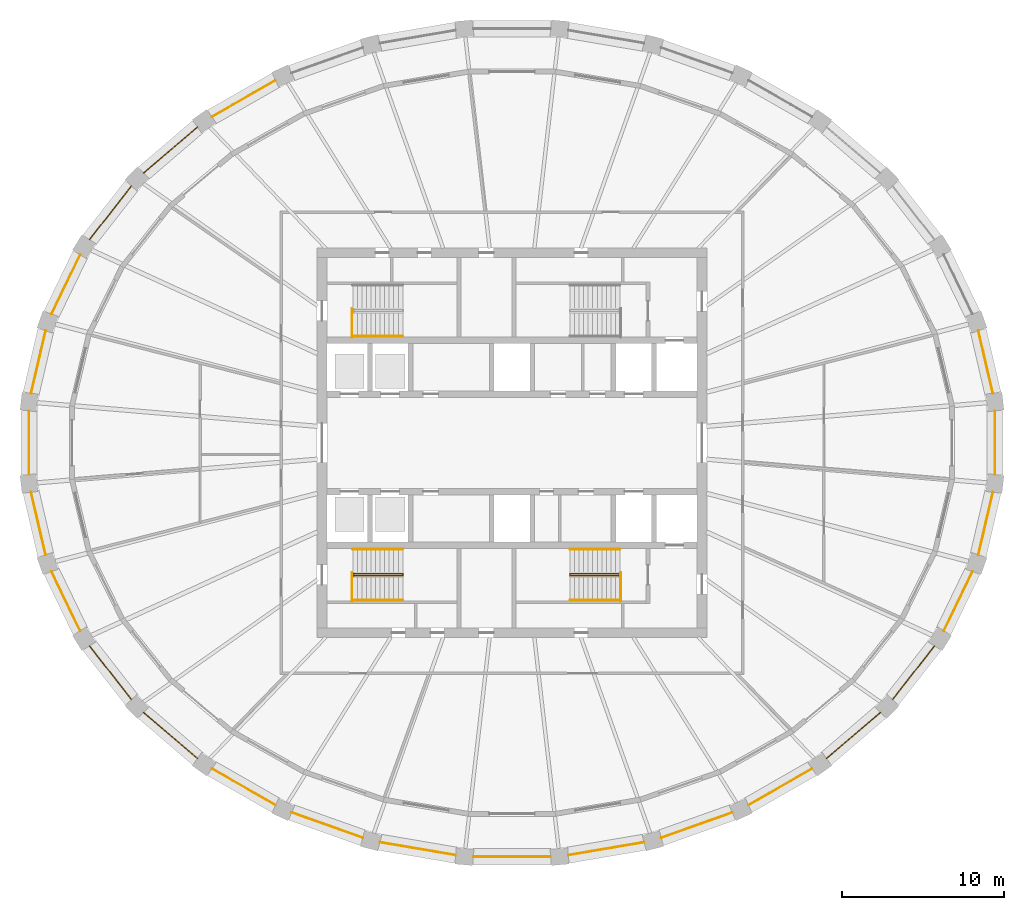
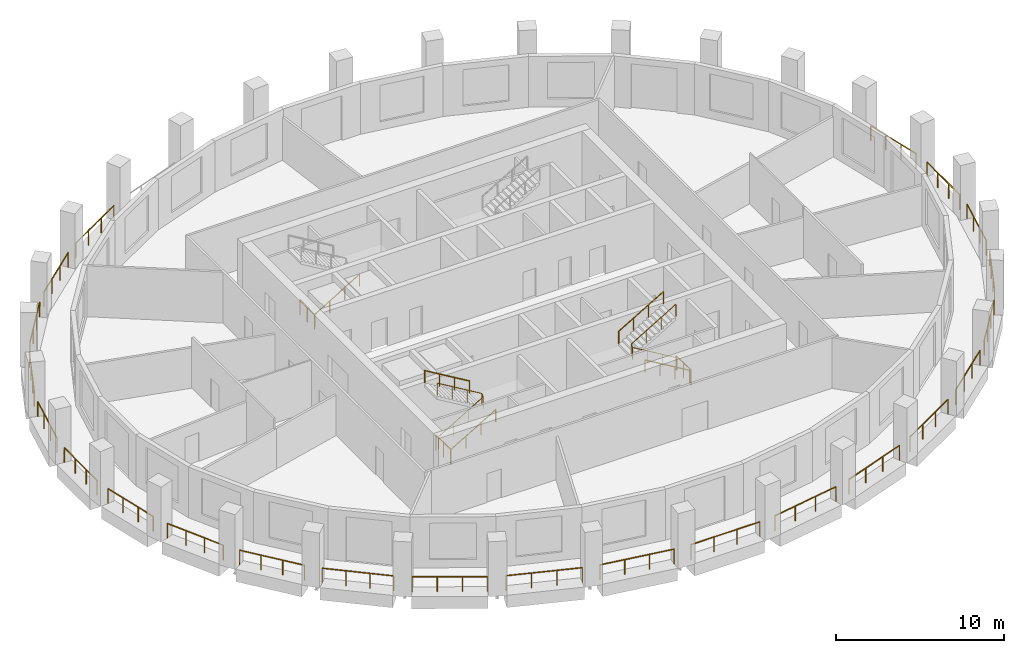
# One storey, part 8 of 10: 33 railings.
"""IFC4 building model written with IfcOpenShell, lengths in metres."""

import ifcopenshell
import ifcopenshell.guid

model = None  # the IFC model being written
_history = None  # IfcOwnerHistory: only IFC2X3 demands one
_inside = {}  # id of a spatial element -> (the spatial element, [elements in it])
_under = {}  # id of a project, library or spatial element -> (it, [spatial elements below it])
_declared = {}  # id of a project -> (the project, [libraries it declares])
_typed = {}  # id of a type object -> (the type object, [elements of that type])
_made_of = {}  # id of a material, layer set ... -> (it, [elements and type objects made of it])


def new_model(schema):
    """Start an empty IFC model of exactly this schema.

    Asked for "IFC4X3", IfcOpenShell would pick the latest addendum, in which some entities
    have other attributes; the version numbers below select the first issue.
    IFC2X3 requires an IfcOwnerHistory on every rooted entity: one is made here for all.
    """
    global model, _history
    if schema == "IFC4X3":
        model = ifcopenshell.file(schema_version=(4, 3, 0, 0))
    else:
        model = ifcopenshell.file(schema=schema)
    _inside.clear()
    _under.clear()
    _declared.clear()
    _typed.clear()
    _made_of.clear()
    _history = None
    if model.schema == "IFC2X3":
        org = make("IfcOrganization", Name="unknown")
        user = make(
            "IfcPersonAndOrganization",
            ThePerson=make("IfcPerson", FamilyName="unknown"),
            TheOrganization=org,
        )
        app = make(
            "IfcApplication",
            ApplicationDeveloper=org,
            Version="unknown",
            ApplicationFullName="unknown",
            ApplicationIdentifier="unknown",
        )
        _history = make(
            "IfcOwnerHistory",
            OwningUser=user,
            OwningApplication=app,
            ChangeAction="ADDED",
            CreationDate=0,
        )
    return model


def make(cls, **values):
    """One entity of the class cls with the attributes given. An attribute that is None is left unset."""
    return model.create_entity(
        cls, **{name: value for name, value in values.items() if value is not None}
    )


def rooted(cls, **values):
    """An entity with a GlobalId (a new one), such as an element, a storey or a relation."""
    return make(cls, GlobalId=ifcopenshell.guid.new(), OwnerHistory=_history, **values)


def si_unit(unit_type, name, prefix=None):
    """IfcSIUnit, for example si_unit("LENGTHUNIT", "METRE", prefix="MILLI")."""
    return make("IfcSIUnit", UnitType=unit_type, Prefix=prefix, Name=name)


def assignment(units):
    """IfcUnitAssignment: the units of a project."""
    return None if units is None else make("IfcUnitAssignment", Units=units)


def point(xyz):
    """IfcCartesianPoint."""
    return None if xyz is None else make("IfcCartesianPoint", Coordinates=xyz)


def direction(xyz):
    """IfcDirection."""
    return None if xyz is None else make("IfcDirection", DirectionRatios=xyz)


def frame(location, z_axis=None, x_axis=None):
    """IfcAxis2Placement3D, a coordinate frame: its origin and axes. An axis left out is left unset."""
    return make(
        "IfcAxis2Placement3D",
        Location=point(location),
        Axis=direction(z_axis),
        RefDirection=direction(x_axis),
    )


def frame_2d(location, x_axis=None):
    """IfcAxis2Placement2D, a coordinate frame in the plane: its origin and x axis."""
    return make(
        "IfcAxis2Placement2D", Location=point(location), RefDirection=direction(x_axis)
    )


def origin():
    """The frame at (0, 0, 0) with its axes left unset."""
    return frame((0.0, 0.0, 0.0))


def origin_2d():
    """The frame at (0, 0) in the plane with its x axis left unset."""
    return frame_2d((0.0, 0.0))


def place(relative_to, where):
    """IfcLocalPlacement: puts the frame where relative to a parent placement (None: the world)."""
    return make(
        "IfcLocalPlacement", PlacementRelTo=relative_to, RelativePlacement=where
    )


def context(
    kind, dimensions, precision=None, world=None, true_north=None, identifier=None
):
    """IfcGeometricRepresentationContext, for example the 3D "Model" context."""
    return make(
        "IfcGeometricRepresentationContext",
        ContextIdentifier=identifier,
        ContextType=kind,
        CoordinateSpaceDimension=dimensions,
        Precision=precision,
        WorldCoordinateSystem=world,
        TrueNorth=true_north,
    )


def subcontext(parent, identifier, kind, view, scale=None):
    """IfcGeometricRepresentationSubContext, for example "Body" below "Model"."""
    return make(
        "IfcGeometricRepresentationSubContext",
        ContextIdentifier=identifier,
        ContextType=kind,
        ParentContext=parent,
        TargetScale=scale,
        TargetView=view,
    )


def project(units=None, contexts=None):
    """IfcProject with its units and contexts."""
    return rooted(
        "IfcProject",
        Name="project",
        RepresentationContexts=contexts,
        UnitsInContext=assignment(units),
    )


def spatial(cls, under=None, at=None, **own):
    """A site, building, storey or space (cls), placed at a placement, below another one or the project."""
    s = rooted(cls, ObjectPlacement=at, **own)
    if under is not None:
        _under.setdefault(under.id(), (under, []))[1].append(s)
    return s


def profile(cls, at=None, kind="AREA", **sizes):
    """A parametric profile (cls). Its sizes go by their IFC names, for example OverallWidth=200.0."""
    return make(cls, ProfileType=kind, Position=at, **sizes)


def circle(**sizes):
    """IfcCircleProfileDef."""
    return profile("IfcCircleProfileDef", **sizes)


def extrude(swept, where, along, depth):
    """IfcExtrudedAreaSolid: the profile swept, set in the frame where, extruded along a direction by depth."""
    return make(
        "IfcExtrudedAreaSolid",
        SweptArea=swept,
        Position=where,
        ExtrudedDirection=direction(along),
        Depth=depth,
    )


def shape(context_of_items, identifier, shape_type, items):
    """IfcShapeRepresentation: the items that make up one representation, for example the "Body"."""
    return make(
        "IfcShapeRepresentation",
        ContextOfItems=context_of_items,
        RepresentationIdentifier=identifier,
        RepresentationType=shape_type,
        Items=items,
    )


def material(Name=None, Category=None):
    """IfcMaterial."""
    return make("IfcMaterial", Name=Name, Category=Category)


def made_of(thing, what):
    """Note that an element or type object is made of a material, layer set ...; save() writes the relation."""
    if what is not None:
        _made_of.setdefault(what.id(), (what, []))[1].append(thing)
    return thing


def type_object(cls, material=None, **own):
    """A type object (cls), such as IfcWallType, which elements share."""
    return made_of(rooted(cls, **own), material)


def element(
    cls,
    number,
    at=None,
    inside=None,
    cuts=None,
    type_object=None,
    material=None,
    context=None,
    identifier="Body",
    shape_type=None,
    held_by="IfcProductDefinitionShape",
    body=None,
    shapes=None,
    **own,
):
    """One element of the class cls, such as IfcWall. Its Tag is "e" and its number.

    at: its placement. inside: the storey or other place that contains it. cuts: it is an
    opening in that element (IfcRelVoidsElement). A single representation is given by context,
    identifier, shape_type and body (its items); several are given by shapes. held_by: the class
    of the entity that holds the representations. save() writes the other relations.
    """
    e = rooted(cls, Tag="e%d" % number, ObjectPlacement=at, **own)
    if body is not None:
        shapes = [shape(context, identifier, shape_type, body)]
    if shapes is not None:
        e.Representation = make(held_by, Representations=shapes)
    if inside is not None:
        _inside.setdefault(inside.id(), (inside, []))[1].append(e)
    if cuts is not None:
        rooted(
            "IfcRelVoidsElement", RelatingBuildingElement=cuts, RelatedOpeningElement=e
        )
    if type_object is not None:
        _typed.setdefault(type_object.id(), (type_object, []))[1].append(e)
    return made_of(e, material)


def aggregate(whole, parts):
    """IfcRelAggregates: a whole, such as a stair, and the parts it consists of."""
    return rooted("IfcRelAggregates", RelatingObject=whole, RelatedObjects=parts)


def save(model, path):
    """Write the relations noted so far, then the file.

    IfcRelAggregates (storeys below a building ...), IfcRelContainedInSpatialStructure (elements
    in a storey), IfcRelDefinesByType, IfcRelAssociatesMaterial and IfcRelDeclares: one each for
    every whole, place, type object, material and project.
    """
    for whole, parts in _under.values():
        aggregate(whole, parts)
    for where, things in _inside.values():
        rooted(
            "IfcRelContainedInSpatialStructure",
            RelatedElements=things,
            RelatingStructure=where,
        )
    for kind, things in _typed.values():
        rooted("IfcRelDefinesByType", RelatedObjects=things, RelatingType=kind)
    for what, things in _made_of.values():
        rooted("IfcRelAssociatesMaterial", RelatedObjects=things, RelatingMaterial=what)
    for by, libraries in _declared.values():
        rooted("IfcRelDeclares", RelatingContext=by, RelatedDefinitions=libraries)
    model.write(path)


model = new_model("IFC4")

# Units and contexts
model_context = context("Model", 3, precision=1e-05, world=origin(), true_north=direction((0.0, 1.0)))
body_context = subcontext(model_context, "Body", "Model", "MODEL_VIEW")
ifc_project = project(units=[si_unit("LENGTHUNIT", "METRE"), si_unit("AREAUNIT", "SQUARE_METRE"), si_unit("VOLUMEUNIT", "CUBIC_METRE"), si_unit("PLANEANGLEUNIT", "RADIAN"), si_unit("MASSUNIT", "GRAM", prefix="KILO")], contexts=[model_context])

# Site, building, storey
site_placement = place(None, origin())
site = spatial("IfcSite", under=ifc_project, at=site_placement, CompositionType="ELEMENT")
building_placement = place(site_placement, origin())
building = spatial("IfcBuilding", under=site, at=building_placement, Name="Halqa Exchange Tower", CompositionType="ELEMENT")
storey_placement = place(building_placement, frame((0.0, 0.0, 272.300048828125)))
storey = spatial("IfcBuildingStorey", under=building, at=storey_placement, Name="L63", CompositionType="ELEMENT", Elevation=272.300048828125)

# Railings
ifc_material = material(Name="Stainless steel", Category="steel")
railing_type_1 = type_object("IfcRailingType", Name="Guard 1100 stainless steel", PredefinedType="GUARDRAIL", material=ifc_material)
railing_1_placement = place(storey_placement, frame((29.600341796875, 3.045166015625, 0.0)))
element("IfcRailing", 1, at=railing_1_placement, inside=storey, type_object=railing_type_1, Name="Loggia guard 1", PredefinedType="GUARDRAIL", context=body_context, shape_type="SweptSolid", body=[
    extrude(circle(Radius=0.02392578125, at=origin_2d()), frame((0.0, 0.0, 1.076171875), z_axis=(-0.226095175031, 0.974105215995, 0.0), x_axis=(-0.974105215995, -0.226095175031, 0.0)), (0.0, 0.0, 1.0), 3.953125),
    extrude(circle(Radius=0.02099609375, at=origin_2d()), origin(), (0.0, 0.0, 1.0), 1.052001953125),
    extrude(circle(Radius=0.02099609375, at=origin_2d()), frame((-0.2978515625, 1.28369140625, 0.0)), (0.0, 0.0, 1.0), 1.052001953125),
    extrude(circle(Radius=0.02099609375, at=origin_2d()), frame((-0.595947265625, 2.567138671875, 0.0)), (0.0, 0.0, 1.0), 1.052001953125),
    extrude(circle(Radius=0.02099609375, at=origin_2d()), frame((-0.893798828125, 3.850830078125, 0.0)), (0.0, 0.0, 1.0), 1.052001953125),
])
railing_2_placement = place(storey_placement, frame((-14.55712890625, 22.30517578125, 0.0)))
element("IfcRailing", 2, at=railing_2_placement, inside=storey, type_object=railing_type_1, Name="Loggia guard 11", PredefinedType="GUARDRAIL", context=body_context, shape_type="SweptSolid", body=[
    extrude(circle(Radius=0.02392578125, at=origin_2d()), frame((0.0, 0.0, 1.076171875), z_axis=(-0.867743048919, -0.497013079357, 0.0), x_axis=(0.497013079357, -0.867743048919, 0.0)), (0.0, 0.0, 1.0), 4.51025390625),
    extrude(circle(Radius=0.02099609375, at=origin_2d()), origin(), (0.0, 0.0, 1.0), 1.052001953125),
    extrude(circle(Radius=0.02099609375, at=origin_2d()), frame((-1.3046875, -0.747314453125, 0.0)), (0.0, 0.0, 1.0), 1.052001953125),
    extrude(circle(Radius=0.02099609375, at=origin_2d()), frame((-2.609130859375, -1.494384765625, 0.0)), (0.0, 0.0, 1.0), 1.052001953125),
    extrude(circle(Radius=0.02099609375, at=origin_2d()), frame((-3.913818359375, -2.24169921875, 0.0)), (0.0, 0.0, 1.0), 1.052001953125),
])
railing_3_placement = place(storey_placement, frame((-19.365966796875, 19.432373046875, 0.0)))
element("IfcRailing", 3, at=railing_3_placement, inside=storey, type_object=railing_type_1, Name="Loggia guard 12", PredefinedType="GUARDRAIL", context=body_context, shape_type="SweptSolid", body=[
    extrude(circle(Radius=0.02392578125, at=origin_2d()), frame((0.0, 0.0, 1.076171875), z_axis=(-0.759232847893, -0.650819085983, 0.0), x_axis=(0.650819085983, -0.759232847893, 0.0)), (0.0, 0.0, 1.0), 4.35302734375),
    extrude(circle(Radius=0.02099609375, at=origin_2d()), origin(), (0.0, 0.0, 1.0), 1.052001953125),
    extrude(circle(Radius=0.02099609375, at=origin_2d()), frame((-1.1015625, -0.9443359375, 0.0)), (0.0, 0.0, 1.0), 1.052001953125),
    extrude(circle(Radius=0.02099609375, at=origin_2d()), frame((-2.203369140625, -1.888671875, 0.0)), (0.0, 0.0, 1.0), 1.052001953125),
    extrude(circle(Radius=0.02099609375, at=origin_2d()), frame((-3.304931640625, -2.8330078125, 0.0)), (0.0, 0.0, 1.0), 1.052001953125),
])
railing_4_placement = place(storey_placement, frame((-23.4267578125, 15.8076171875, 0.0)))
element("IfcRailing", 4, at=railing_4_placement, inside=storey, type_object=railing_type_1, Name="Loggia guard 13", PredefinedType="GUARDRAIL", context=body_context, shape_type="SweptSolid", body=[
    extrude(circle(Radius=0.02392578125, at=origin_2d()), frame((0.0, 0.0, 1.076171875), z_axis=(-0.614799253617, -0.788683636036, 0.0), x_axis=(0.788683636036, -0.614799253617, 0.0)), (0.0, 0.0, 1.0), 4.191162109375),
    extrude(circle(Radius=0.02099609375, at=origin_2d()), origin(), (0.0, 0.0, 1.0), 1.052001953125),
    extrude(circle(Radius=0.02099609375, at=origin_2d()), frame((-0.85888671875, -1.101806640625, 0.0)), (0.0, 0.0, 1.0), 1.052001953125),
    extrude(circle(Radius=0.02099609375, at=origin_2d()), frame((-1.7177734375, -2.20361328125, 0.0)), (0.0, 0.0, 1.0), 1.052001953125),
    extrude(circle(Radius=0.02099609375, at=origin_2d()), frame((-2.57666015625, -3.305419921875, 0.0)), (0.0, 0.0, 1.0), 1.052001953125),
])
railing_5_placement = place(storey_placement, frame((-26.580810546875, 11.5732421875, 0.0)))
element("IfcRailing", 5, at=railing_5_placement, inside=storey, type_object=railing_type_1, Name="Loggia guard 14", PredefinedType="GUARDRAIL", context=body_context, shape_type="SweptSolid", body=[
    extrude(circle(Radius=0.02392578125, at=origin_2d()), frame((0.0, 0.0, 1.076171875), z_axis=(-0.435140153369, -0.900362730751, 0.0), x_axis=(0.900362730751, -0.435140153369, 0.0)), (0.0, 0.0, 1.0), 4.0498046875),
    extrude(circle(Radius=0.02099609375, at=origin_2d()), origin(), (0.0, 0.0, 1.0), 1.052001953125),
    extrude(circle(Radius=0.02099609375, at=origin_2d()), frame((-0.58740234375, -1.21533203125, 0.0)), (0.0, 0.0, 1.0), 1.052001953125),
    extrude(circle(Radius=0.02099609375, at=origin_2d()), frame((-1.1748046875, -2.430908203125, 0.0)), (0.0, 0.0, 1.0), 1.052001953125),
    extrude(circle(Radius=0.02099609375, at=origin_2d()), frame((-1.76220703125, -3.646240234375, 0.0)), (0.0, 0.0, 1.0), 1.052001953125),
])
railing_6_placement = place(storey_placement, frame((-28.70654296875, 6.89599609375, 0.0)))
element("IfcRailing", 6, at=railing_6_placement, inside=storey, type_object=railing_type_1, Name="Loggia guard 15", PredefinedType="GUARDRAIL", context=body_context, shape_type="SweptSolid", body=[
    extrude(circle(Radius=0.02392578125, at=origin_2d()), frame((0.0, 0.0, 1.076171875), z_axis=(-0.226095175031, -0.974105215995, 0.0), x_axis=(0.974105215995, -0.226095175031, 0.0)), (0.0, 0.0, 1.0), 3.953125),
    extrude(circle(Radius=0.02099609375, at=origin_2d()), origin(), (0.0, 0.0, 1.0), 1.052001953125),
    extrude(circle(Radius=0.02099609375, at=origin_2d()), frame((-0.2978515625, -1.28369140625, 0.0)), (0.0, 0.0, 1.0), 1.052001953125),
    extrude(circle(Radius=0.02099609375, at=origin_2d()), frame((-0.595947265625, -2.567138671875, 0.0)), (0.0, 0.0, 1.0), 1.052001953125),
    extrude(circle(Radius=0.02099609375, at=origin_2d()), frame((-0.893798828125, -3.850830078125, 0.0)), (0.0, 0.0, 1.0), 1.052001953125),
])
railing_7_placement = place(storey_placement, frame((-29.724609375, 1.95947265625, 0.0)))
element("IfcRailing", 7, at=railing_7_placement, inside=storey, type_object=railing_type_1, Name="Loggia guard 16", PredefinedType="GUARDRAIL", context=body_context, shape_type="SweptSolid", body=[
    extrude(circle(Radius=0.02392578125, at=origin_2d()), frame((0.0, 0.0, 1.076171875), z_axis=(0.0, -1.0, 0.0), x_axis=(1.0, 0.0, 0.0)), (0.0, 0.0, 1.0), 3.9189453125),
    extrude(circle(Radius=0.02099609375, at=origin_2d()), origin(), (0.0, 0.0, 1.0), 1.052001953125),
    extrude(circle(Radius=0.02099609375, at=origin_2d()), frame((0.0, -1.306396484375, 0.0)), (0.0, 0.0, 1.0), 1.052001953125),
    extrude(circle(Radius=0.02099609375, at=origin_2d()), frame((0.0, -2.612548828125, 0.0)), (0.0, 0.0, 1.0), 1.052001953125),
    extrude(circle(Radius=0.02099609375, at=origin_2d()), frame((0.0, -3.9189453125, 0.0)), (0.0, 0.0, 1.0), 1.052001953125),
])
railing_8_placement = place(storey_placement, frame((-29.600341796875, -3.045166015625, 0.0)))
element("IfcRailing", 8, at=railing_8_placement, inside=storey, type_object=railing_type_1, Name="Loggia guard 17", PredefinedType="GUARDRAIL", context=body_context, shape_type="SweptSolid", body=[
    extrude(circle(Radius=0.02392578125, at=origin_2d()), frame((0.0, 0.0, 1.076171875), z_axis=(0.226095175031, -0.974105215995, 0.0), x_axis=(0.974105215995, 0.226095175031, 0.0)), (0.0, 0.0, 1.0), 3.953125),
    extrude(circle(Radius=0.02099609375, at=origin_2d()), origin(), (0.0, 0.0, 1.0), 1.052001953125),
    extrude(circle(Radius=0.02099609375, at=origin_2d()), frame((0.2978515625, -1.28369140625, 0.0)), (0.0, 0.0, 1.0), 1.052001953125),
    extrude(circle(Radius=0.02099609375, at=origin_2d()), frame((0.595947265625, -2.567138671875, 0.0)), (0.0, 0.0, 1.0), 1.052001953125),
    extrude(circle(Radius=0.02099609375, at=origin_2d()), frame((0.893798828125, -3.850830078125, 0.0)), (0.0, 0.0, 1.0), 1.052001953125),
])
railing_9_placement = place(storey_placement, frame((-28.343017578125, -7.927001953125, 0.0)))
element("IfcRailing", 9, at=railing_9_placement, inside=storey, type_object=railing_type_1, Name="Loggia guard 18", PredefinedType="GUARDRAIL", context=body_context, shape_type="SweptSolid", body=[
    extrude(circle(Radius=0.02392578125, at=origin_2d()), frame((0.0, 0.0, 1.076171875), z_axis=(0.435140153369, -0.900362730751, 0.0), x_axis=(0.900362730751, 0.435140153369, 0.0)), (0.0, 0.0, 1.0), 4.0498046875),
    extrude(circle(Radius=0.02099609375, at=origin_2d()), origin(), (0.0, 0.0, 1.0), 1.052001953125),
    extrude(circle(Radius=0.02099609375, at=origin_2d()), frame((0.58740234375, -1.21533203125, 0.0)), (0.0, 0.0, 1.0), 1.052001953125),
    extrude(circle(Radius=0.02099609375, at=origin_2d()), frame((1.1748046875, -2.430908203125, 0.0)), (0.0, 0.0, 1.0), 1.052001953125),
    extrude(circle(Radius=0.02099609375, at=origin_2d()), frame((1.76220703125, -3.646240234375, 0.0)), (0.0, 0.0, 1.0), 1.052001953125),
])
railing_10_placement = place(storey_placement, frame((-26.00341796875, -12.502197265625, 0.0)))
element("IfcRailing", 10, at=railing_10_placement, inside=storey, type_object=railing_type_1, Name="Loggia guard 19", PredefinedType="GUARDRAIL", context=body_context, shape_type="SweptSolid", body=[
    extrude(circle(Radius=0.02392578125, at=origin_2d()), frame((0.0, 0.0, 1.076171875), z_axis=(0.614799253617, -0.788683636036, 0.0), x_axis=(0.788683636036, 0.614799253617, 0.0)), (0.0, 0.0, 1.0), 4.191162109375),
    extrude(circle(Radius=0.02099609375, at=origin_2d()), origin(), (0.0, 0.0, 1.0), 1.052001953125),
    extrude(circle(Radius=0.02099609375, at=origin_2d()), frame((0.85888671875, -1.101806640625, 0.0)), (0.0, 0.0, 1.0), 1.052001953125),
    extrude(circle(Radius=0.02099609375, at=origin_2d()), frame((1.7177734375, -2.20361328125, 0.0)), (0.0, 0.0, 1.0), 1.052001953125),
    extrude(circle(Radius=0.02099609375, at=origin_2d()), frame((2.57666015625, -3.305419921875, 0.0)), (0.0, 0.0, 1.0), 1.052001953125),
])
railing_11_placement = place(storey_placement, frame((-22.6708984375, -16.599365234375, 0.0)))
element("IfcRailing", 11, at=railing_11_placement, inside=storey, type_object=railing_type_1, Name="Loggia guard 20", PredefinedType="GUARDRAIL", context=body_context, shape_type="SweptSolid", body=[
    extrude(circle(Radius=0.02392578125, at=origin_2d()), frame((0.0, 0.0, 1.076171875), z_axis=(0.759232847893, -0.650819085983, 0.0), x_axis=(0.650819085983, 0.759232847893, 0.0)), (0.0, 0.0, 1.0), 4.35302734375),
    extrude(circle(Radius=0.02099609375, at=origin_2d()), origin(), (0.0, 0.0, 1.0), 1.052001953125),
    extrude(circle(Radius=0.02099609375, at=origin_2d()), frame((1.1015625, -0.9443359375, 0.0)), (0.0, 0.0, 1.0), 1.052001953125),
    extrude(circle(Radius=0.02099609375, at=origin_2d()), frame((2.203369140625, -1.888671875, 0.0)), (0.0, 0.0, 1.0), 1.052001953125),
    extrude(circle(Radius=0.02099609375, at=origin_2d()), frame((3.304931640625, -2.8330078125, 0.0)), (0.0, 0.0, 1.0), 1.052001953125),
])
railing_12_placement = place(storey_placement, frame((-18.470947265625, -20.0634765625, 0.0)))
element("IfcRailing", 12, at=railing_12_placement, inside=storey, type_object=railing_type_1, Name="Loggia guard 21", PredefinedType="GUARDRAIL", context=body_context, shape_type="SweptSolid", body=[
    extrude(circle(Radius=0.02392578125, at=origin_2d()), frame((0.0, 0.0, 1.076171875), z_axis=(0.867743048919, -0.497013079357, 0.0), x_axis=(0.497013079357, 0.867743048919, 0.0)), (0.0, 0.0, 1.0), 4.51025390625),
    extrude(circle(Radius=0.02099609375, at=origin_2d()), origin(), (0.0, 0.0, 1.0), 1.052001953125),
    extrude(circle(Radius=0.02099609375, at=origin_2d()), frame((1.3046875, -0.747314453125, 0.0)), (0.0, 0.0, 1.0), 1.052001953125),
    extrude(circle(Radius=0.02099609375, at=origin_2d()), frame((2.609130859375, -1.494384765625, 0.0)), (0.0, 0.0, 1.0), 1.052001953125),
    extrude(circle(Radius=0.02099609375, at=origin_2d()), frame((3.913818359375, -2.24169921875, 0.0)), (0.0, 0.0, 1.0), 1.052001953125),
])
railing_13_placement = place(storey_placement, frame((-13.5615234375, -22.762451171875, 0.0)))
element("IfcRailing", 13, at=railing_13_placement, inside=storey, type_object=railing_type_1, Name="Loggia guard 22", PredefinedType="GUARDRAIL", context=body_context, shape_type="SweptSolid", body=[
    extrude(circle(Radius=0.02392578125, at=origin_2d()), frame((0.0, 0.0, 1.076171875), z_axis=(0.942353373352, -0.334619365447, 0.0), x_axis=(0.334619365447, 0.942353373352, 0.0)), (0.0, 0.0, 1.0), 4.640380859375),
    extrude(circle(Radius=0.02099609375, at=origin_2d()), origin(), (0.0, 0.0, 1.0), 1.052001953125),
    extrude(circle(Radius=0.02099609375, at=origin_2d()), frame((1.45751953125, -0.517578125, 0.0)), (0.0, 0.0, 1.0), 1.052001953125),
    extrude(circle(Radius=0.02099609375, at=origin_2d()), frame((2.915283203125, -1.03515625, 0.0)), (0.0, 0.0, 1.0), 1.052001953125),
    extrude(circle(Radius=0.02099609375, at=origin_2d()), frame((4.372802734375, -1.552734375, 0.0)), (0.0, 0.0, 1.0), 1.052001953125),
])
railing_14_placement = place(storey_placement, frame((-8.128173828125, -24.591552734375, 0.0)))
element("IfcRailing", 14, at=railing_14_placement, inside=storey, type_object=railing_type_1, Name="Loggia guard 23", PredefinedType="GUARDRAIL", context=body_context, shape_type="SweptSolid", body=[
    extrude(circle(Radius=0.02392578125, at=origin_2d()), frame((0.0, 0.0, 1.076171875), z_axis=(0.985776950658, -0.168058928803, 0.0), x_axis=(0.168058928803, 0.985776950658, 0.0)), (0.0, 0.0, 1.0), 4.7255859375),
    extrude(circle(Radius=0.02099609375, at=origin_2d()), origin(), (0.0, 0.0, 1.0), 1.052001953125),
    extrude(circle(Radius=0.02099609375, at=origin_2d()), frame((1.552734375, -0.2646484375, 0.0)), (0.0, 0.0, 1.0), 1.052001953125),
    extrude(circle(Radius=0.02099609375, at=origin_2d()), frame((3.105712890625, -0.529541015625, 0.0)), (0.0, 0.0, 1.0), 1.052001953125),
    extrude(circle(Radius=0.02099609375, at=origin_2d()), frame((4.658447265625, -0.794189453125, 0.0)), (0.0, 0.0, 1.0), 1.052001953125),
])
railing_15_placement = place(storey_placement, frame((-2.377685546875, -25.478271484375, 0.0)))
element("IfcRailing", 15, at=railing_15_placement, inside=storey, type_object=railing_type_1, Name="Loggia guard 24", PredefinedType="GUARDRAIL", context=body_context, shape_type="SweptSolid", body=[
    extrude(circle(Radius=0.02392578125, at=origin_2d()), frame((0.0, 0.0, 1.076171875), z_axis=(1.0, 0.0, 0.0), x_axis=(0.0, 1.0, 0.0)), (0.0, 0.0, 1.0), 4.75537109375),
    extrude(circle(Radius=0.02099609375, at=origin_2d()), origin(), (0.0, 0.0, 1.0), 1.052001953125),
    extrude(circle(Radius=0.02099609375, at=origin_2d()), frame((1.585205078125, 0.0, 0.0)), (0.0, 0.0, 1.0), 1.052001953125),
    extrude(circle(Radius=0.02099609375, at=origin_2d()), frame((3.170166015625, 0.0, 0.0)), (0.0, 0.0, 1.0), 1.052001953125),
    extrude(circle(Radius=0.02099609375, at=origin_2d()), frame((4.75537109375, 0.0, 0.0)), (0.0, 0.0, 1.0), 1.052001953125),
])
railing_16_placement = place(storey_placement, frame((3.4697265625, -25.3857421875, 0.0)))
element("IfcRailing", 16, at=railing_16_placement, inside=storey, type_object=railing_type_1, Name="Loggia guard 25", PredefinedType="GUARDRAIL", context=body_context, shape_type="SweptSolid", body=[
    extrude(circle(Radius=0.02392578125, at=origin_2d()), frame((0.0, 0.0, 1.076171875), z_axis=(0.985776950658, 0.168058928803, 0.0), x_axis=(-0.168058928803, 0.985776950658, 0.0)), (0.0, 0.0, 1.0), 4.7255859375),
    extrude(circle(Radius=0.02099609375, at=origin_2d()), origin(), (0.0, 0.0, 1.0), 1.052001953125),
    extrude(circle(Radius=0.02099609375, at=origin_2d()), frame((1.552734375, 0.2646484375, 0.0)), (0.0, 0.0, 1.0), 1.052001953125),
    extrude(circle(Radius=0.02099609375, at=origin_2d()), frame((3.105712890625, 0.529541015625, 0.0)), (0.0, 0.0, 1.0), 1.052001953125),
    extrude(circle(Radius=0.02099609375, at=origin_2d()), frame((4.658447265625, 0.794189453125, 0.0)), (0.0, 0.0, 1.0), 1.052001953125),
])
railing_17_placement = place(storey_placement, frame((9.188720703125, -24.315185546875, 0.0)))
element("IfcRailing", 17, at=railing_17_placement, inside=storey, type_object=railing_type_1, Name="Loggia guard 26", PredefinedType="GUARDRAIL", context=body_context, shape_type="SweptSolid", body=[
    extrude(circle(Radius=0.02392578125, at=origin_2d()), frame((0.0, 0.0, 1.076171875), z_axis=(0.942353373352, 0.334619365447, 0.0), x_axis=(-0.334619365447, 0.942353373352, 0.0)), (0.0, 0.0, 1.0), 4.640380859375),
    extrude(circle(Radius=0.02099609375, at=origin_2d()), origin(), (0.0, 0.0, 1.0), 1.052001953125),
    extrude(circle(Radius=0.02099609375, at=origin_2d()), frame((1.45751953125, 0.517578125, 0.0)), (0.0, 0.0, 1.0), 1.052001953125),
    extrude(circle(Radius=0.02099609375, at=origin_2d()), frame((2.915283203125, 1.03515625, 0.0)), (0.0, 0.0, 1.0), 1.052001953125),
    extrude(circle(Radius=0.02099609375, at=origin_2d()), frame((4.372802734375, 1.552734375, 0.0)), (0.0, 0.0, 1.0), 1.052001953125),
])
railing_18_placement = place(storey_placement, frame((14.55712890625, -22.30517578125, 0.0)))
element("IfcRailing", 18, at=railing_18_placement, inside=storey, type_object=railing_type_1, Name="Loggia guard 27", PredefinedType="GUARDRAIL", context=body_context, shape_type="SweptSolid", body=[
    extrude(circle(Radius=0.02392578125, at=origin_2d()), frame((0.0, 0.0, 1.076171875), z_axis=(0.867743048919, 0.497013079357, 0.0), x_axis=(-0.497013079357, 0.867743048919, 0.0)), (0.0, 0.0, 1.0), 4.51025390625),
    extrude(circle(Radius=0.02099609375, at=origin_2d()), origin(), (0.0, 0.0, 1.0), 1.052001953125),
    extrude(circle(Radius=0.02099609375, at=origin_2d()), frame((1.3046875, 0.747314453125, 0.0)), (0.0, 0.0, 1.0), 1.052001953125),
    extrude(circle(Radius=0.02099609375, at=origin_2d()), frame((2.609130859375, 1.494384765625, 0.0)), (0.0, 0.0, 1.0), 1.052001953125),
    extrude(circle(Radius=0.02099609375, at=origin_2d()), frame((3.913818359375, 2.24169921875, 0.0)), (0.0, 0.0, 1.0), 1.052001953125),
])
railing_19_placement = place(storey_placement, frame((19.365966796875, -19.432373046875, 0.0)))
element("IfcRailing", 19, at=railing_19_placement, inside=storey, type_object=railing_type_1, Name="Loggia guard 28", PredefinedType="GUARDRAIL", context=body_context, shape_type="SweptSolid", body=[
    extrude(circle(Radius=0.02392578125, at=origin_2d()), frame((0.0, 0.0, 1.076171875), z_axis=(0.759232847893, 0.650819085983, 0.0), x_axis=(-0.650819085983, 0.759232847893, 0.0)), (0.0, 0.0, 1.0), 4.35302734375),
    extrude(circle(Radius=0.02099609375, at=origin_2d()), origin(), (0.0, 0.0, 1.0), 1.052001953125),
    extrude(circle(Radius=0.02099609375, at=origin_2d()), frame((1.1015625, 0.9443359375, 0.0)), (0.0, 0.0, 1.0), 1.052001953125),
    extrude(circle(Radius=0.02099609375, at=origin_2d()), frame((2.203369140625, 1.888671875, 0.0)), (0.0, 0.0, 1.0), 1.052001953125),
    extrude(circle(Radius=0.02099609375, at=origin_2d()), frame((3.304931640625, 2.8330078125, 0.0)), (0.0, 0.0, 1.0), 1.052001953125),
])
railing_20_placement = place(storey_placement, frame((23.4267578125, -15.8076171875, 0.0)))
element("IfcRailing", 20, at=railing_20_placement, inside=storey, type_object=railing_type_1, Name="Loggia guard 29", PredefinedType="GUARDRAIL", context=body_context, shape_type="SweptSolid", body=[
    extrude(circle(Radius=0.02392578125, at=origin_2d()), frame((0.0, 0.0, 1.076171875), z_axis=(0.614799253617, 0.788683636036, 0.0), x_axis=(-0.788683636036, 0.614799253617, 0.0)), (0.0, 0.0, 1.0), 4.191162109375),
    extrude(circle(Radius=0.02099609375, at=origin_2d()), origin(), (0.0, 0.0, 1.0), 1.052001953125),
    extrude(circle(Radius=0.02099609375, at=origin_2d()), frame((0.85888671875, 1.101806640625, 0.0)), (0.0, 0.0, 1.0), 1.052001953125),
    extrude(circle(Radius=0.02099609375, at=origin_2d()), frame((1.7177734375, 2.20361328125, 0.0)), (0.0, 0.0, 1.0), 1.052001953125),
    extrude(circle(Radius=0.02099609375, at=origin_2d()), frame((2.57666015625, 3.305419921875, 0.0)), (0.0, 0.0, 1.0), 1.052001953125),
])
railing_21_placement = place(storey_placement, frame((26.580810546875, -11.5732421875, 0.0)))
element("IfcRailing", 21, at=railing_21_placement, inside=storey, type_object=railing_type_1, Name="Loggia guard 30", PredefinedType="GUARDRAIL", context=body_context, shape_type="SweptSolid", body=[
    extrude(circle(Radius=0.02392578125, at=origin_2d()), frame((0.0, 0.0, 1.076171875), z_axis=(0.435140153369, 0.900362730751, 0.0), x_axis=(-0.900362730751, 0.435140153369, 0.0)), (0.0, 0.0, 1.0), 4.0498046875),
    extrude(circle(Radius=0.02099609375, at=origin_2d()), origin(), (0.0, 0.0, 1.0), 1.052001953125),
    extrude(circle(Radius=0.02099609375, at=origin_2d()), frame((0.58740234375, 1.21533203125, 0.0)), (0.0, 0.0, 1.0), 1.052001953125),
    extrude(circle(Radius=0.02099609375, at=origin_2d()), frame((1.1748046875, 2.430908203125, 0.0)), (0.0, 0.0, 1.0), 1.052001953125),
    extrude(circle(Radius=0.02099609375, at=origin_2d()), frame((1.76220703125, 3.646240234375, 0.0)), (0.0, 0.0, 1.0), 1.052001953125),
])
railing_22_placement = place(storey_placement, frame((28.70654296875, -6.89599609375, 0.0)))
element("IfcRailing", 22, at=railing_22_placement, inside=storey, type_object=railing_type_1, Name="Loggia guard 31", PredefinedType="GUARDRAIL", context=body_context, shape_type="SweptSolid", body=[
    extrude(circle(Radius=0.02392578125, at=origin_2d()), frame((0.0, 0.0, 1.076171875), z_axis=(0.226095175031, 0.974105215995, 0.0), x_axis=(-0.974105215995, 0.226095175031, 0.0)), (0.0, 0.0, 1.0), 3.953125),
    extrude(circle(Radius=0.02099609375, at=origin_2d()), origin(), (0.0, 0.0, 1.0), 1.052001953125),
    extrude(circle(Radius=0.02099609375, at=origin_2d()), frame((0.2978515625, 1.28369140625, 0.0)), (0.0, 0.0, 1.0), 1.052001953125),
    extrude(circle(Radius=0.02099609375, at=origin_2d()), frame((0.595947265625, 2.567138671875, 0.0)), (0.0, 0.0, 1.0), 1.052001953125),
    extrude(circle(Radius=0.02099609375, at=origin_2d()), frame((0.893798828125, 3.850830078125, 0.0)), (0.0, 0.0, 1.0), 1.052001953125),
])
railing_23_placement = place(storey_placement, frame((29.724609375, -1.95947265625, 0.0)))
element("IfcRailing", 23, at=railing_23_placement, inside=storey, type_object=railing_type_1, Name="Loggia guard 32", PredefinedType="GUARDRAIL", context=body_context, shape_type="SweptSolid", body=[
    extrude(circle(Radius=0.02392578125, at=origin_2d()), frame((0.0, 0.0, 1.076171875), z_axis=(0.0, 1.0, 0.0), x_axis=(-1.0, 0.0, 0.0)), (0.0, 0.0, 1.0), 3.9189453125),
    extrude(circle(Radius=0.02099609375, at=origin_2d()), origin(), (0.0, 0.0, 1.0), 1.052001953125),
    extrude(circle(Radius=0.02099609375, at=origin_2d()), frame((0.0, 1.306396484375, 0.0)), (0.0, 0.0, 1.0), 1.052001953125),
    extrude(circle(Radius=0.02099609375, at=origin_2d()), frame((0.0, 2.612548828125, 0.0)), (0.0, 0.0, 1.0), 1.052001953125),
    extrude(circle(Radius=0.02099609375, at=origin_2d()), frame((0.0, 3.9189453125, 0.0)), (0.0, 0.0, 1.0), 1.052001953125),
])
railing_type_2 = type_object("IfcRailingType", Name="Stair handrail 900", PredefinedType="HANDRAIL", material=ifc_material)
railing_24_placement = place(storey_placement, frame((-9.800048828125, 6.550048828125, 0.166748046875)))
element("IfcRailing", 24, at=railing_24_placement, inside=storey, type_object=railing_type_2, Name="Handrail ST1.2", PredefinedType="HANDRAIL", context=body_context, shape_type="SweptSolid", body=[
    extrude(circle(Radius=0.02392578125, at=origin_2d()), frame((0.0, 0.0, 0.8759765625), z_axis=(0.859308565015, 0.0, 0.511457515432), x_axis=(0.0, 1.0, 0.0)), (0.0, 0.0, 1.0), 3.58447265625),
    extrude(circle(Radius=0.02099609375, at=origin_2d()), origin(), (0.0, 0.0, 1.0), 0.851806640625),
    extrude(circle(Radius=0.02099609375, at=origin_2d()), frame((1.026611328125, 0.0, 0.611083984375)), (0.0, 0.0, 1.0), 0.851806640625),
    extrude(circle(Radius=0.02099609375, at=origin_2d()), frame((2.053466796875, 0.0, 1.22216796875)), (0.0, 0.0, 1.0), 0.851806640625),
    extrude(circle(Radius=0.02099609375, at=origin_2d()), frame((3.080078125, 0.0, 1.833251953125)), (0.0, 0.0, 1.0), 0.851806640625),
])
railing_25_placement = place(storey_placement, frame((-9.800048828125, -8.18994140625, 0.166748046875)))
element("IfcRailing", 25, at=railing_25_placement, inside=storey, type_object=railing_type_2, Name="Handrail ST3.1", PredefinedType="HANDRAIL", context=body_context, shape_type="SweptSolid", body=[
    extrude(circle(Radius=0.02392578125, at=origin_2d()), frame((0.0, 0.0, 0.8759765625), z_axis=(0.859308565015, 0.0, 0.511457515432), x_axis=(0.0, 1.0, 0.0)), (0.0, 0.0, 1.0), 3.58447265625),
    extrude(circle(Radius=0.02392578125, at=origin_2d()), frame((3.080078125, 0.0, 2.708984375), z_axis=(0.0, 0.614500226555, 0.788916644243), x_axis=(-1.0, 0.0, 0.0)), (0.0, 0.0, 1.0), 0.21142578125),
    extrude(circle(Radius=0.02392578125, at=origin_2d()), frame((3.080078125, 0.1298828125, 2.8759765625), z_axis=(-0.859308565015, 0.0, 0.511457515432), x_axis=(0.0, -1.0, 0.0)), (0.0, 0.0, 1.0), 3.58447265625),
    extrude(circle(Radius=0.02099609375, at=origin_2d()), origin(), (0.0, 0.0, 1.0), 0.851806640625),
    extrude(circle(Radius=0.02099609375, at=origin_2d()), frame((1.026611328125, 0.0, 0.611083984375)), (0.0, 0.0, 1.0), 0.851806640625),
    extrude(circle(Radius=0.02099609375, at=origin_2d()), frame((2.053466796875, 0.0, 1.22216796875)), (0.0, 0.0, 1.0), 0.851806640625),
    extrude(circle(Radius=0.02099609375, at=origin_2d()), frame((3.080078125, 0.0, 1.833251953125)), (0.0, 0.0, 1.0), 0.851806640625),
    extrude(circle(Radius=0.02099609375, at=origin_2d()), frame((3.080078125, 0.1298828125, 2.0)), (0.0, 0.0, 1.0), 0.851806640625),
    extrude(circle(Radius=0.02099609375, at=origin_2d()), frame((2.053466796875, 0.1298828125, 2.611083984375)), (0.0, 0.0, 1.0), 0.851806640625),
    extrude(circle(Radius=0.02099609375, at=origin_2d()), frame((1.026611328125, 0.1298828125, 3.22216796875)), (0.0, 0.0, 1.0), 0.851806640625),
    extrude(circle(Radius=0.02099609375, at=origin_2d()), frame((0.0, 0.1298828125, 3.833251953125)), (0.0, 0.0, 1.0), 0.851806640625),
])
railing_26_placement = place(storey_placement, frame((-9.800048828125, -9.699951171875, 0.166748046875)))
element("IfcRailing", 26, at=railing_26_placement, inside=storey, type_object=railing_type_2, Name="Handrail ST3.2", PredefinedType="HANDRAIL", context=body_context, shape_type="SweptSolid", body=[
    extrude(circle(Radius=0.02392578125, at=origin_2d()), frame((0.0, 0.0, 0.8759765625), z_axis=(0.859308565015, 0.0, 0.511457515432), x_axis=(0.0, 1.0, 0.0)), (0.0, 0.0, 1.0), 3.58447265625),
    extrude(circle(Radius=0.02099609375, at=origin_2d()), origin(), (0.0, 0.0, 1.0), 0.851806640625),
    extrude(circle(Radius=0.02099609375, at=origin_2d()), frame((1.026611328125, 0.0, 0.611083984375)), (0.0, 0.0, 1.0), 0.851806640625),
    extrude(circle(Radius=0.02099609375, at=origin_2d()), frame((2.053466796875, 0.0, 1.22216796875)), (0.0, 0.0, 1.0), 0.851806640625),
    extrude(circle(Radius=0.02099609375, at=origin_2d()), frame((3.080078125, 0.0, 1.833251953125)), (0.0, 0.0, 1.0), 0.851806640625),
])
railing_27_placement = place(storey_placement, frame((-6.719970703125, -6.550048828125, 2.166748046875)))
element("IfcRailing", 27, at=railing_27_placement, inside=storey, type_object=railing_type_2, Name="Handrail ST3.3", PredefinedType="HANDRAIL", context=body_context, shape_type="SweptSolid", body=[
    extrude(circle(Radius=0.02392578125, at=origin_2d()), frame((0.0, 0.0, 0.8759765625), z_axis=(-0.859308565015, 0.0, 0.511457515432), x_axis=(0.0, -1.0, 0.0)), (0.0, 0.0, 1.0), 3.58447265625),
    extrude(circle(Radius=0.02099609375, at=origin_2d()), origin(), (0.0, 0.0, 1.0), 0.851806640625),
    extrude(circle(Radius=0.02099609375, at=origin_2d()), frame((-1.026611328125, 0.0, 0.611083984375)), (0.0, 0.0, 1.0), 0.851806640625),
    extrude(circle(Radius=0.02099609375, at=origin_2d()), frame((-2.053466796875, 0.0, 1.22216796875)), (0.0, 0.0, 1.0), 0.851806640625),
    extrude(circle(Radius=0.02099609375, at=origin_2d()), frame((-3.080078125, 0.0, 1.833251953125)), (0.0, 0.0, 1.0), 0.851806640625),
])
railing_28_placement = place(storey_placement, frame((6.64990234375, -8.18994140625, 0.166748046875)))
element("IfcRailing", 28, at=railing_28_placement, inside=storey, type_object=railing_type_2, Name="Handrail ST4.1", PredefinedType="HANDRAIL", context=body_context, shape_type="SweptSolid", body=[
    extrude(circle(Radius=0.02392578125, at=origin_2d()), frame((0.0, 0.0, 0.8759765625), z_axis=(-0.859290745958, 0.0, 0.51148745235), x_axis=(0.0, -1.0, 0.0)), (0.0, 0.0, 1.0), 3.584228515625),
    extrude(circle(Radius=0.02392578125, at=origin_2d()), frame((-3.079833984375, 0.0, 2.708984375), z_axis=(0.0, 0.614500226555, 0.788916644243), x_axis=(-1.0, 0.0, 0.0)), (0.0, 0.0, 1.0), 0.21142578125),
    extrude(circle(Radius=0.02392578125, at=origin_2d()), frame((-3.079833984375, 0.1298828125, 2.8759765625), z_axis=(0.859290745958, 0.0, 0.51148745235), x_axis=(0.0, 1.0, 0.0)), (0.0, 0.0, 1.0), 3.584228515625),
    extrude(circle(Radius=0.02099609375, at=origin_2d()), origin(), (0.0, 0.0, 1.0), 0.851806640625),
    extrude(circle(Radius=0.02099609375, at=origin_2d()), frame((-1.026611328125, 0.0, 0.611083984375)), (0.0, 0.0, 1.0), 0.851806640625),
    extrude(circle(Radius=0.02099609375, at=origin_2d()), frame((-2.05322265625, 0.0, 1.22216796875)), (0.0, 0.0, 1.0), 0.851806640625),
    extrude(circle(Radius=0.02099609375, at=origin_2d()), frame((-3.079833984375, 0.0, 1.833251953125)), (0.0, 0.0, 1.0), 0.851806640625),
    extrude(circle(Radius=0.02099609375, at=origin_2d()), frame((-3.079833984375, 0.1298828125, 2.0)), (0.0, 0.0, 1.0), 0.851806640625),
    extrude(circle(Radius=0.02099609375, at=origin_2d()), frame((-2.05322265625, 0.1298828125, 2.611083984375)), (0.0, 0.0, 1.0), 0.851806640625),
    extrude(circle(Radius=0.02099609375, at=origin_2d()), frame((-1.026611328125, 0.1298828125, 3.22216796875)), (0.0, 0.0, 1.0), 0.851806640625),
    extrude(circle(Radius=0.02099609375, at=origin_2d()), frame((0.0, 0.1298828125, 3.833251953125)), (0.0, 0.0, 1.0), 0.851806640625),
])
railing_29_placement = place(storey_placement, frame((6.64990234375, -9.699951171875, 0.166748046875)))
element("IfcRailing", 29, at=railing_29_placement, inside=storey, type_object=railing_type_2, Name="Handrail ST4.2", PredefinedType="HANDRAIL", context=body_context, shape_type="SweptSolid", body=[
    extrude(circle(Radius=0.02392578125, at=origin_2d()), frame((0.0, 0.0, 0.8759765625), z_axis=(-0.859290745958, 0.0, 0.51148745235), x_axis=(0.0, -1.0, 0.0)), (0.0, 0.0, 1.0), 3.584228515625),
    extrude(circle(Radius=0.02099609375, at=origin_2d()), origin(), (0.0, 0.0, 1.0), 0.851806640625),
    extrude(circle(Radius=0.02099609375, at=origin_2d()), frame((-1.026611328125, 0.0, 0.611083984375)), (0.0, 0.0, 1.0), 0.851806640625),
    extrude(circle(Radius=0.02099609375, at=origin_2d()), frame((-2.05322265625, 0.0, 1.22216796875)), (0.0, 0.0, 1.0), 0.851806640625),
    extrude(circle(Radius=0.02099609375, at=origin_2d()), frame((-3.079833984375, 0.0, 1.833251953125)), (0.0, 0.0, 1.0), 0.851806640625),
])
railing_30_placement = place(storey_placement, frame((3.570068359375, -6.550048828125, 2.166748046875)))
element("IfcRailing", 30, at=railing_30_placement, inside=storey, type_object=railing_type_2, Name="Handrail ST4.3", PredefinedType="HANDRAIL", context=body_context, shape_type="SweptSolid", body=[
    extrude(circle(Radius=0.02392578125, at=origin_2d()), frame((0.0, 0.0, 0.8759765625), z_axis=(0.859290745958, 0.0, 0.51148745235), x_axis=(0.0, 1.0, 0.0)), (0.0, 0.0, 1.0), 3.584228515625),
    extrude(circle(Radius=0.02099609375, at=origin_2d()), origin(), (0.0, 0.0, 1.0), 0.851806640625),
    extrude(circle(Radius=0.02099609375, at=origin_2d()), frame((1.026611328125, 0.0, 0.611083984375)), (0.0, 0.0, 1.0), 0.851806640625),
    extrude(circle(Radius=0.02099609375, at=origin_2d()), frame((2.05322265625, 0.0, 1.22216796875)), (0.0, 0.0, 1.0), 0.851806640625),
    extrude(circle(Radius=0.02099609375, at=origin_2d()), frame((3.079833984375, 0.0, 1.833251953125)), (0.0, 0.0, 1.0), 0.851806640625),
])
railing_type_3 = type_object("IfcRailingType", Name="Stair well guard 1100", PredefinedType="GUARDRAIL", material=ifc_material)
for number, where, name in (
    (31, (-9.85009765625, 6.5, 0.0), "Guard ST1 well"),
    (32, (-9.85009765625, -9.75, 0.0), "Guard ST3 well"),
    (33, (6.699951171875, -9.75, 0.0), "Guard ST4 well"),
):
    element("IfcRailing", number, at=place(storey_placement, frame(where)), inside=storey, type_object=railing_type_3, Name=name, PredefinedType="GUARDRAIL", context=body_context, shape_type="SweptSolid", body=[
        extrude(circle(Radius=0.02392578125, at=origin_2d()), frame((0.0, 0.0, 1.076171875), z_axis=(0.0, 1.0, 0.0), x_axis=(-1.0, 0.0, 0.0)), (0.0, 0.0, 1.0), 1.75),
        extrude(circle(Radius=0.02099609375, at=origin_2d()), origin(), (0.0, 0.0, 1.0), 1.052001953125),
        extrude(circle(Radius=0.02099609375, at=origin_2d()), frame((0.0, 0.875, 0.0)), (0.0, 0.0, 1.0), 1.052001953125),
        extrude(circle(Radius=0.02099609375, at=origin_2d()), frame((0.0, 1.75, 0.0)), (0.0, 0.0, 1.0), 1.052001953125),
    ])

save(model, "model.ifc")
